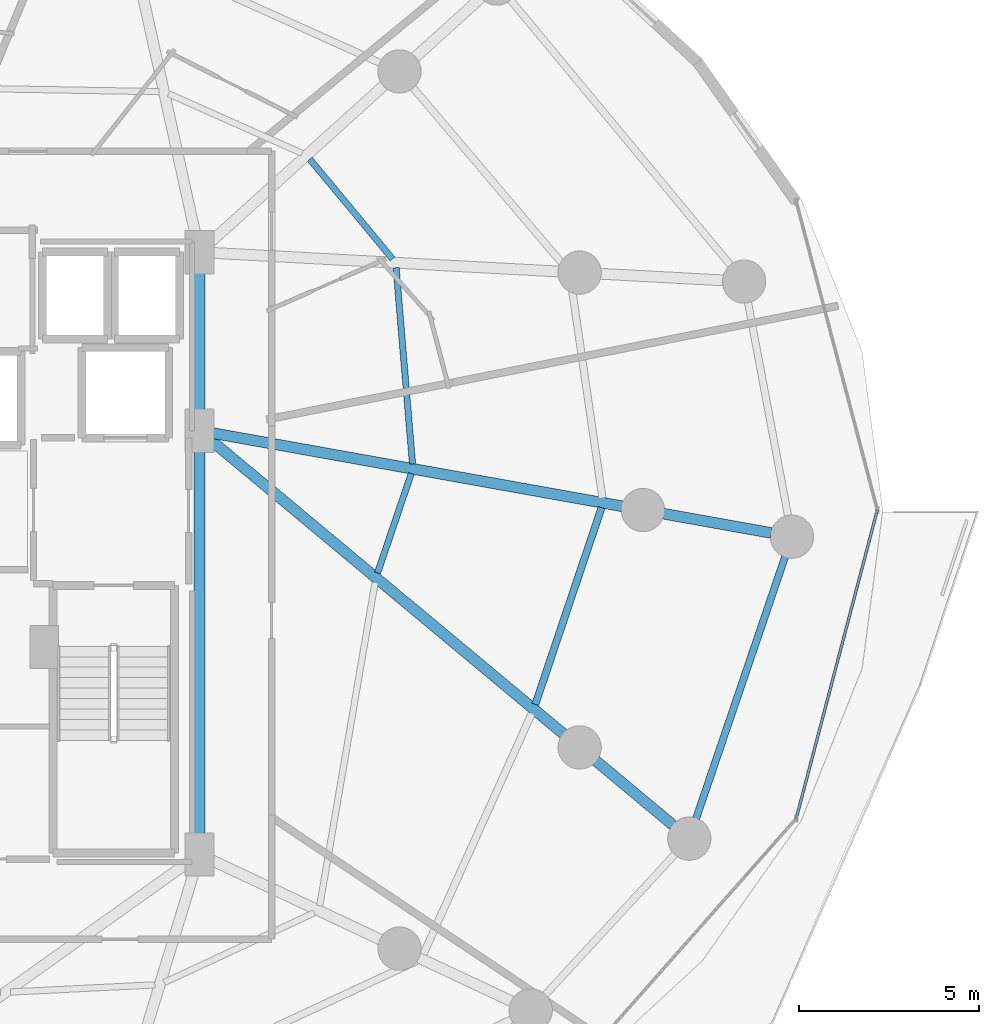
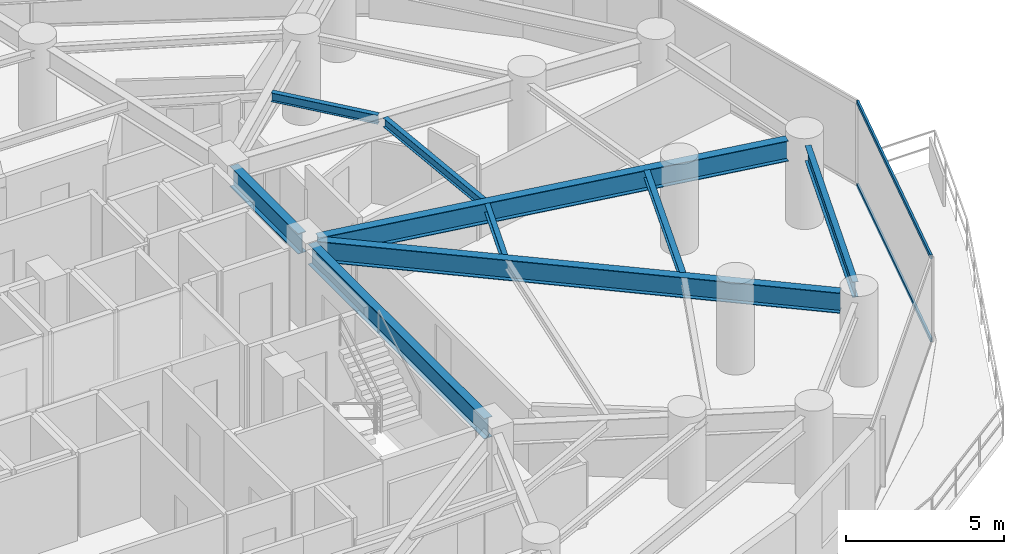
# One storey, part 15 of 34: 9 beams, 2 members, 1 element without a shape of its own.
"""IFC4 building model written with IfcOpenShell, lengths in metres."""

import ifcopenshell
import ifcopenshell.guid

model = None  # the IFC model being written
_history = None  # IfcOwnerHistory: only IFC2X3 demands one
_inside = {}  # id of a spatial element -> (the spatial element, [elements in it])
_under = {}  # id of a project, library or spatial element -> (it, [spatial elements below it])
_declared = {}  # id of a project -> (the project, [libraries it declares])
_typed = {}  # id of a type object -> (the type object, [elements of that type])
_made_of = {}  # id of a material, layer set ... -> (it, [elements and type objects made of it])


def new_model(schema):
    """Start an empty IFC model of exactly this schema.

    Asked for "IFC4X3", IfcOpenShell would pick the latest addendum, in which some entities
    have other attributes; the version numbers below select the first issue.
    IFC2X3 requires an IfcOwnerHistory on every rooted entity: one is made here for all.
    """
    global model, _history
    if schema == "IFC4X3":
        model = ifcopenshell.file(schema_version=(4, 3, 0, 0))
    else:
        model = ifcopenshell.file(schema=schema)
    _inside.clear()
    _under.clear()
    _declared.clear()
    _typed.clear()
    _made_of.clear()
    _history = None
    if model.schema == "IFC2X3":
        org = make("IfcOrganization", Name="unknown")
        user = make(
            "IfcPersonAndOrganization",
            ThePerson=make("IfcPerson", FamilyName="unknown"),
            TheOrganization=org,
        )
        app = make(
            "IfcApplication",
            ApplicationDeveloper=org,
            Version="unknown",
            ApplicationFullName="unknown",
            ApplicationIdentifier="unknown",
        )
        _history = make(
            "IfcOwnerHistory",
            OwningUser=user,
            OwningApplication=app,
            ChangeAction="ADDED",
            CreationDate=0,
        )
    return model


def make(cls, **values):
    """One entity of the class cls with the attributes given. An attribute that is None is left unset."""
    return model.create_entity(
        cls, **{name: value for name, value in values.items() if value is not None}
    )


def rooted(cls, **values):
    """An entity with a GlobalId (a new one), such as an element, a storey or a relation."""
    return make(cls, GlobalId=ifcopenshell.guid.new(), OwnerHistory=_history, **values)


def si_unit(unit_type, name, prefix=None):
    """IfcSIUnit, for example si_unit("LENGTHUNIT", "METRE", prefix="MILLI")."""
    return make("IfcSIUnit", UnitType=unit_type, Prefix=prefix, Name=name)


def assignment(units):
    """IfcUnitAssignment: the units of a project."""
    return None if units is None else make("IfcUnitAssignment", Units=units)


def point(xyz):
    """IfcCartesianPoint."""
    return None if xyz is None else make("IfcCartesianPoint", Coordinates=xyz)


def direction(xyz):
    """IfcDirection."""
    return None if xyz is None else make("IfcDirection", DirectionRatios=xyz)


def frame(location, z_axis=None, x_axis=None):
    """IfcAxis2Placement3D, a coordinate frame: its origin and axes. An axis left out is left unset."""
    return make(
        "IfcAxis2Placement3D",
        Location=point(location),
        Axis=direction(z_axis),
        RefDirection=direction(x_axis),
    )


def frame_2d(location, x_axis=None):
    """IfcAxis2Placement2D, a coordinate frame in the plane: its origin and x axis."""
    return make(
        "IfcAxis2Placement2D", Location=point(location), RefDirection=direction(x_axis)
    )


def origin():
    """The frame at (0, 0, 0) with its axes left unset."""
    return frame((0.0, 0.0, 0.0))


def origin_2d():
    """The frame at (0, 0) in the plane with its x axis left unset."""
    return frame_2d((0.0, 0.0))


def place(relative_to, where):
    """IfcLocalPlacement: puts the frame where relative to a parent placement (None: the world)."""
    return make(
        "IfcLocalPlacement", PlacementRelTo=relative_to, RelativePlacement=where
    )


def context(
    kind, dimensions, precision=None, world=None, true_north=None, identifier=None
):
    """IfcGeometricRepresentationContext, for example the 3D "Model" context."""
    return make(
        "IfcGeometricRepresentationContext",
        ContextIdentifier=identifier,
        ContextType=kind,
        CoordinateSpaceDimension=dimensions,
        Precision=precision,
        WorldCoordinateSystem=world,
        TrueNorth=true_north,
    )


def subcontext(parent, identifier, kind, view, scale=None):
    """IfcGeometricRepresentationSubContext, for example "Body" below "Model"."""
    return make(
        "IfcGeometricRepresentationSubContext",
        ContextIdentifier=identifier,
        ContextType=kind,
        ParentContext=parent,
        TargetScale=scale,
        TargetView=view,
    )


def project(units=None, contexts=None):
    """IfcProject with its units and contexts."""
    return rooted(
        "IfcProject",
        Name="project",
        RepresentationContexts=contexts,
        UnitsInContext=assignment(units),
    )


def spatial(cls, under=None, at=None, **own):
    """A site, building, storey or space (cls), placed at a placement, below another one or the project."""
    s = rooted(cls, ObjectPlacement=at, **own)
    if under is not None:
        _under.setdefault(under.id(), (under, []))[1].append(s)
    return s


def profile(cls, at=None, kind="AREA", **sizes):
    """A parametric profile (cls). Its sizes go by their IFC names, for example OverallWidth=200.0."""
    return make(cls, ProfileType=kind, Position=at, **sizes)


def hollow_rectangle(**sizes):
    """IfcRectangleHollowProfileDef."""
    return profile("IfcRectangleHollowProfileDef", **sizes)


def i_section(**sizes):
    """IfcIShapeProfileDef."""
    return profile("IfcIShapeProfileDef", **sizes)


def extrude(swept, where, along, depth):
    """IfcExtrudedAreaSolid: the profile swept, set in the frame where, extruded along a direction by depth."""
    return make(
        "IfcExtrudedAreaSolid",
        SweptArea=swept,
        Position=where,
        ExtrudedDirection=direction(along),
        Depth=depth,
    )


def shape(context_of_items, identifier, shape_type, items):
    """IfcShapeRepresentation: the items that make up one representation, for example the "Body"."""
    return make(
        "IfcShapeRepresentation",
        ContextOfItems=context_of_items,
        RepresentationIdentifier=identifier,
        RepresentationType=shape_type,
        Items=items,
    )


def material(Name=None, Category=None):
    """IfcMaterial."""
    return make("IfcMaterial", Name=Name, Category=Category)


def material_profile(
    of_material, cross_section, Name=None, Category=None, Priority=None
):
    """IfcMaterialProfile: a cross section and its material."""
    return make(
        "IfcMaterialProfile",
        Name=Name,
        Material=of_material,
        Profile=cross_section,
        Priority=Priority,
        Category=Category,
    )


def profile_set(profiles, Name=None, composite=None):
    """IfcMaterialProfileSet."""
    return make(
        "IfcMaterialProfileSet",
        Name=Name,
        MaterialProfiles=profiles,
        CompositeProfile=composite,
    )


def made_of(thing, what):
    """Note that an element or type object is made of a material, layer set ...; save() writes the relation."""
    if what is not None:
        _made_of.setdefault(what.id(), (what, []))[1].append(thing)
    return thing


def type_object(cls, material=None, **own):
    """A type object (cls), such as IfcWallType, which elements share."""
    return made_of(rooted(cls, **own), material)


def element(
    cls,
    number,
    at=None,
    inside=None,
    cuts=None,
    type_object=None,
    material=None,
    context=None,
    identifier="Body",
    shape_type=None,
    held_by="IfcProductDefinitionShape",
    body=None,
    shapes=None,
    **own,
):
    """One element of the class cls, such as IfcWall. Its Tag is "e" and its number.

    at: its placement. inside: the storey or other place that contains it. cuts: it is an
    opening in that element (IfcRelVoidsElement). A single representation is given by context,
    identifier, shape_type and body (its items); several are given by shapes. held_by: the class
    of the entity that holds the representations. save() writes the other relations.
    """
    e = rooted(cls, Tag="e%d" % number, ObjectPlacement=at, **own)
    if body is not None:
        shapes = [shape(context, identifier, shape_type, body)]
    if shapes is not None:
        e.Representation = make(held_by, Representations=shapes)
    if inside is not None:
        _inside.setdefault(inside.id(), (inside, []))[1].append(e)
    if cuts is not None:
        rooted(
            "IfcRelVoidsElement", RelatingBuildingElement=cuts, RelatedOpeningElement=e
        )
    if type_object is not None:
        _typed.setdefault(type_object.id(), (type_object, []))[1].append(e)
    return made_of(e, material)


def aggregate(whole, parts):
    """IfcRelAggregates: a whole, such as a stair, and the parts it consists of."""
    return rooted("IfcRelAggregates", RelatingObject=whole, RelatedObjects=parts)


def save(model, path):
    """Write the relations noted so far, then the file.

    IfcRelAggregates (storeys below a building ...), IfcRelContainedInSpatialStructure (elements
    in a storey), IfcRelDefinesByType, IfcRelAssociatesMaterial and IfcRelDeclares: one each for
    every whole, place, type object, material and project.
    """
    for whole, parts in _under.values():
        aggregate(whole, parts)
    for where, things in _inside.values():
        rooted(
            "IfcRelContainedInSpatialStructure",
            RelatedElements=things,
            RelatingStructure=where,
        )
    for kind, things in _typed.values():
        rooted("IfcRelDefinesByType", RelatedObjects=things, RelatingType=kind)
    for what, things in _made_of.values():
        rooted("IfcRelAssociatesMaterial", RelatedObjects=things, RelatingMaterial=what)
    for by, libraries in _declared.values():
        rooted("IfcRelDeclares", RelatingContext=by, RelatedDefinitions=libraries)
    model.write(path)


model = new_model("IFC4")

# Units and contexts
model_context = context("Model", 3, precision=1e-05, world=origin(), true_north=direction((0.0, 1.0)))
body_context = subcontext(model_context, "Body", "Model", "MODEL_VIEW")
ifc_project = project(units=[si_unit("LENGTHUNIT", "METRE"), si_unit("AREAUNIT", "SQUARE_METRE"), si_unit("VOLUMEUNIT", "CUBIC_METRE"), si_unit("PLANEANGLEUNIT", "RADIAN"), si_unit("MASSUNIT", "GRAM", prefix="KILO")], contexts=[model_context])

# Site, building, storey
site_placement = place(None, origin())
site = spatial("IfcSite", under=ifc_project, at=site_placement, CompositionType="ELEMENT")
building_placement = place(site_placement, origin())
building = spatial("IfcBuilding", under=site, at=building_placement, Name="Vorneva Point Tower", CompositionType="ELEMENT")
storey_placement = place(building_placement, frame((0.0, 0.0, 62.5)))
storey = spatial("IfcBuildingStorey", under=building, at=storey_placement, Name="L16", CompositionType="ELEMENT", Elevation=62.5)

# Beams
ifc_material_1 = material(Name="Steel S355", Category="steel")
ifc_material_profile_1 = material_profile(ifc_material_1, i_section(OverallWidth=0.300048828125, OverallDepth=0.7880859375, WebThickness=0.014404296875, FlangeThickness=0.02197265625, at=origin_2d()), Name="80Sh1")
ifc_profile_set_1 = profile_set([ifc_material_profile_1], Name="Steel S355")
beam_type_1 = type_object("IfcBeamType", Name="BM-GRD-80Sh1", PredefinedType="USERDEFINED", material=ifc_profile_set_1)
beam_1_placement = place(storey_placement, frame((64.603271484375, 25.364501953125, 2.845947265625), z_axis=(-0.984378532035, 0.176065060895, 0.0), x_axis=(-0.176065060895, -0.984378532035, 0.0)))
element("IfcBeam", 1, at=beam_1_placement, inside=storey, type_object=beam_type_1, Name="L16 Radial Primary Girder 01", ObjectType="GIRDER", PredefinedType="USERDEFINED", context=body_context, shape_type="SweptSolid", body=[
    extrude(i_section(OverallWidth=0.300048828125, OverallDepth=0.7880859375, WebThickness=0.014404296875, FlangeThickness=0.02197265625, at=origin_2d()), origin(), (0.0, 0.0, 1.0), 15.764892578125),
])
beam_2_placement = place(storey_placement, frame((61.883056640625, 17.2626953125, 2.845947265625), z_axis=(-0.768420748131, 0.639944961572, 0.0), x_axis=(-0.639944961572, -0.768420748131, 0.0)))
element("IfcBeam", 2, at=beam_2_placement, inside=storey, type_object=beam_type_1, Name="L16 Radial Primary Girder 16", ObjectType="GIRDER", PredefinedType="USERDEFINED", context=body_context, shape_type="SweptSolid", body=[
    extrude(i_section(OverallWidth=0.300048828125, OverallDepth=0.7880859375, WebThickness=0.014404296875, FlangeThickness=0.02197265625, at=origin_2d()), origin(), (0.0, 0.0, 1.0), 16.7509765625),
])
beam_3_placement = place(storey_placement, frame((48.75, 16.77001953125, 2.845947265625), z_axis=(0.0, 1.0, 0.0), x_axis=(-1.0, 0.0, 0.0)))
element("IfcBeam", 3, at=beam_3_placement, inside=storey, type_object=beam_type_1, Name="L16 Core Tie Girder CT3", ObjectType="GIRDER", PredefinedType="USERDEFINED", context=body_context, shape_type="SweptSolid", body=[
    extrude(i_section(OverallWidth=0.300048828125, OverallDepth=0.7880859375, WebThickness=0.014404296875, FlangeThickness=0.02197265625, at=origin_2d()), origin(), (0.0, 0.0, 1.0), 11.10986328125),
])
beam_4_placement = place(storey_placement, frame((48.75, 28.52001953125, 2.845947265625), z_axis=(0.0, 1.0, 0.0), x_axis=(-1.0, 0.0, 0.0)))
element("IfcBeam", 4, at=beam_4_placement, inside=storey, type_object=beam_type_1, Name="L16 Core Tie Girder CT4", ObjectType="GIRDER", PredefinedType="USERDEFINED", context=body_context, shape_type="SweptSolid", body=[
    extrude(i_section(OverallWidth=0.300048828125, OverallDepth=0.7880859375, WebThickness=0.014404296875, FlangeThickness=0.02197265625, at=origin_2d()), origin(), (0.0, 0.0, 1.0), 4.31005859375),
])
ifc_material_profile_2 = material_profile(ifc_material_1, i_section(OverallWidth=0.199951171875, OverallDepth=0.291015625, WebThickness=0.008056640625, FlangeThickness=0.010986328125, at=origin_2d()), Name="30Sh1")
ifc_profile_set_2 = profile_set([ifc_material_profile_2], Name="Steel S355")
beam_type_2 = type_object("IfcBeamType", Name="BM-SEC-30Sh1", PredefinedType="BEAM", material=ifc_profile_set_2)
beam_5_placement = place(storey_placement, frame((58.065673828125, 20.609619140625, 3.094482421875), z_axis=(0.319228088652, 0.947677913331, 0.0), x_axis=(-0.947677913331, 0.319228088652, 0.0)))
element("IfcBeam", 5, at=beam_5_placement, inside=storey, type_object=beam_type_2, Name="L16 Secondary Floor Beam 1.16", PredefinedType="BEAM", context=body_context, shape_type="SweptSolid", body=[
    extrude(i_section(OverallWidth=0.199951171875, OverallDepth=0.291015625, WebThickness=0.008056640625, FlangeThickness=0.010986328125, at=origin_2d()), origin(), (0.0, 0.0, 1.0), 5.758056640625),
])
ifc_material_profile_3 = material_profile(ifc_material_1, i_section(OverallWidth=0.174072265625, OverallDepth=0.345947265625, WebThickness=0.006103515625, FlangeThickness=0.009033203125, at=origin_2d()), Name="35B1")
ifc_profile_set_3 = profile_set([ifc_material_profile_3], Name="Steel S355")
beam_type_3 = type_object("IfcBeamType", Name="BM-SEC-35B1", PredefinedType="BEAM", material=ifc_profile_set_3)
beam_6_placement = place(storey_placement, frame((54.659912109375, 27.2783203125, 3.06689453125), z_axis=(-0.083300805267, 0.996524448191, 0.0), x_axis=(-0.996524448191, -0.083300805267, 0.0)))
element("IfcBeam", 6, at=beam_6_placement, inside=storey, type_object=beam_type_3, Name="L16 Secondary Floor Beam 2.01", PredefinedType="BEAM", context=body_context, shape_type="SweptSolid", body=[
    extrude(i_section(OverallWidth=0.174072265625, OverallDepth=0.345947265625, WebThickness=0.006103515625, FlangeThickness=0.009033203125, at=origin_2d()), origin(), (0.0, 0.0, 1.0), 5.460205078125),
])
beam_7_placement = place(storey_placement, frame((54.10546875, 32.963134765625, 3.06689453125), z_axis=(-0.638284817765, 0.7698002932, 0.0), x_axis=(-0.7698002932, -0.638284817765, 0.0)))
element("IfcBeam", 7, at=beam_7_placement, inside=storey, type_object=beam_type_3, Name="L16 Secondary Floor Beam 2.02", PredefinedType="BEAM", context=body_context, shape_type="SweptSolid", body=[
    extrude(i_section(OverallWidth=0.174072265625, OverallDepth=0.345947265625, WebThickness=0.006103515625, FlangeThickness=0.009033203125, at=origin_2d()), origin(), (0.0, 0.0, 1.0), 3.593994140625),
])
beam_8_placement = place(storey_placement, frame((53.689697265625, 24.25390625, 3.06689453125), z_axis=(0.321932800665, 0.946762521362, 0.0), x_axis=(-0.946762521362, 0.321932800665, 0.0)))
element("IfcBeam", 8, at=beam_8_placement, inside=storey, type_object=beam_type_3, Name="L16 Secondary Floor Beam 2.16", PredefinedType="BEAM", context=body_context, shape_type="SweptSolid", body=[
    extrude(i_section(OverallWidth=0.174072265625, OverallDepth=0.345947265625, WebThickness=0.006103515625, FlangeThickness=0.009033203125, at=origin_2d()), origin(), (0.0, 0.0, 1.0), 2.911376953125),
])
ifc_material_profile_4 = material_profile(ifc_material_1, i_section(OverallWidth=0.198974609375, OverallDepth=0.595947265625, WebThickness=0.010009765625, FlangeThickness=0.014892578125, at=origin_2d()), Name="60B1")
ifc_profile_set_4 = profile_set([ifc_material_profile_4], Name="Steel S355")
beam_type_4 = type_object("IfcBeamType", Name="BM-SPN-60B1", PredefinedType="SPANDREL", material=ifc_profile_set_4)
beam_9_placement = place(storey_placement, frame((62.523193359375, 17.4404296875, 2.94189453125), z_axis=(0.321909576381, 0.946770418124, 0.0), x_axis=(-0.946770418124, 0.321909576381, 0.0)))
element("IfcBeam", 9, at=beam_9_placement, inside=storey, type_object=beam_type_4, Name="L16 Perimeter Spandrel Ring Beam 16", PredefinedType="SPANDREL", context=body_context, shape_type="SweptSolid", body=[
    extrude(i_section(OverallWidth=0.198974609375, OverallDepth=0.595947265625, WebThickness=0.010009765625, FlangeThickness=0.014892578125, at=origin_2d()), origin(), (0.0, 0.0, 1.0), 7.675048828125),
])

# Curtain wall, members
ifc_material_2 = material(Name="Pale anodised aluminium", Category="aluminium")
curtain_wall_type = type_object("IfcCurtainWallType", Name="CW-HTL-SYS", PredefinedType="NOTDEFINED", material=ifc_material_2)
curtain_wall_placement = place(storey_placement, origin())
curtain_wall = element("IfcCurtainWall", 10, at=curtain_wall_placement, inside=storey, type_object=curtain_wall_type, Name="L16 Unitised Curtain Wall CW-L16-R01", PredefinedType="NOTDEFINED")
ifc_material_profile_5 = material_profile(ifc_material_2, hollow_rectangle(XDim=0.074951171875, YDim=0.14990234375, WallThickness=0.00390625, at=origin_2d()), Name="AL-TRN 150x75x4")
ifc_profile_set_5 = profile_set([ifc_material_profile_5], Name="Pale anodised aluminium")
member_type = type_object("IfcMemberType", Name="CW-TRN-150", PredefinedType="USERDEFINED", material=ifc_profile_set_5)
member_1_placement = place(storey_placement, frame((65.300537109375, 17.447021484375, 0.02001953125), z_axis=(0.254358772746, 0.967109928978, 0.0), x_axis=(-0.967109928978, 0.254358772746, 0.0)))
member_1 = element("IfcMember", 11, at=member_1_placement, type_object=member_type, Name="CW-L16-R01 Transom 02.1", ObjectType="TRANSOM", PredefinedType="USERDEFINED", context=body_context, shape_type="SweptSolid", body=[
    extrude(hollow_rectangle(XDim=0.074951171875, YDim=0.14990234375, WallThickness=0.00390625, at=origin_2d()), origin(), (0.0, 0.0, 1.0), 8.84375),
])
member_2_placement = place(storey_placement, frame((65.300537109375, 17.447021484375, 3.219970703125), z_axis=(0.254358772746, 0.967109928978, 0.0), x_axis=(-0.967109928978, 0.254358772746, 0.0)))
member_2 = element("IfcMember", 12, at=member_2_placement, type_object=member_type, Name="CW-L16-R01 Transom 02.2", ObjectType="TRANSOM", PredefinedType="USERDEFINED", context=body_context, shape_type="SweptSolid", body=[
    extrude(hollow_rectangle(XDim=0.074951171875, YDim=0.14990234375, WallThickness=0.00390625, at=origin_2d()), origin(), (0.0, 0.0, 1.0), 8.84375),
])
aggregate(curtain_wall, [member_1, member_2])

save(model, "model.ifc")
